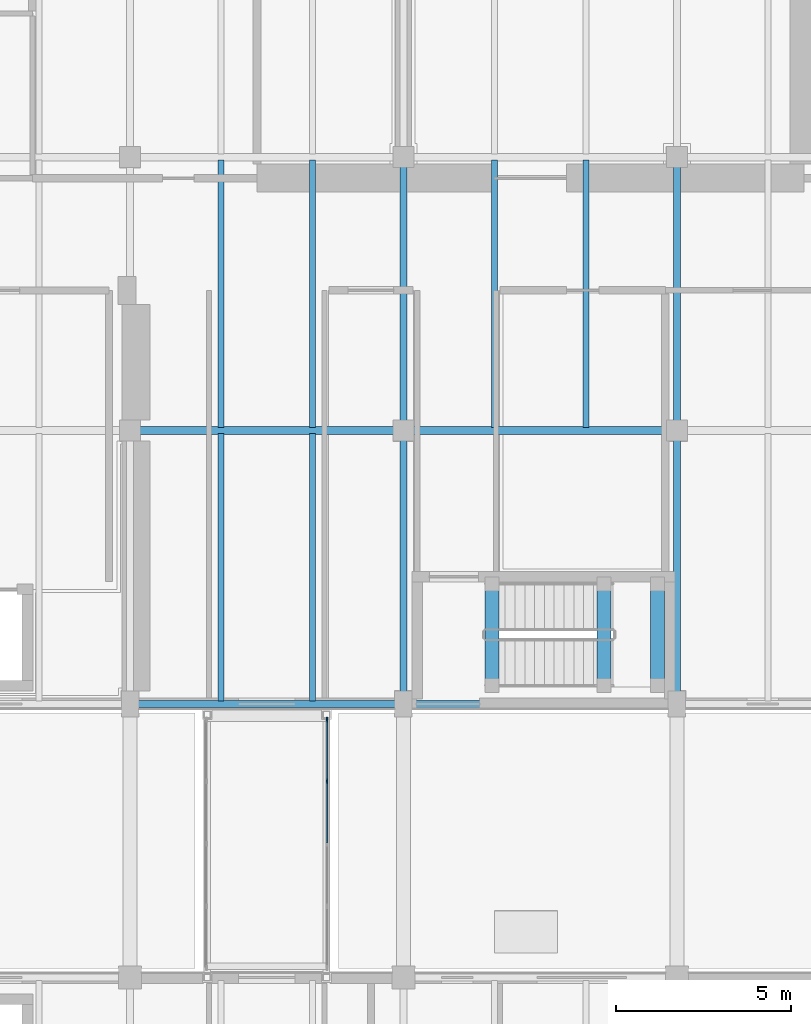
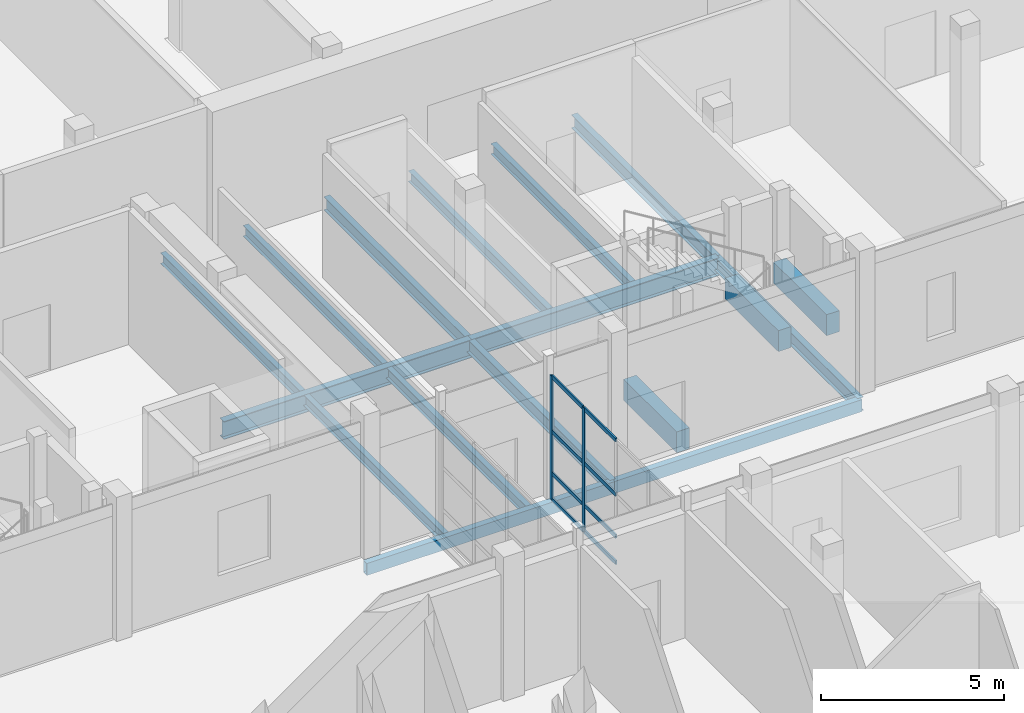
# One storey, part 29 of 131: 17 beams, 10 members, 1 element without a shape of its own.
"""IFC4 building model written with IfcOpenShell, lengths in metres."""

from ifc_helpers import new_model, si_unit, direction, frame, origin, origin_2d, place, context, subcontext, project, spatial, rectangle, hollow_rectangle, i_section, extrude, material, layer, layer_set, material_profile, profile_set, type_object, element, aggregate, save


model = new_model("IFC4")

# Units and contexts
model_context = context("Model", 3, precision=1e-05, world=origin(), true_north=direction((0.0, 1.0)))
body_context = subcontext(model_context, "Body", "Model", "MODEL_VIEW")
ifc_project = project(units=[si_unit("LENGTHUNIT", "METRE"), si_unit("AREAUNIT", "SQUARE_METRE"), si_unit("VOLUMEUNIT", "CUBIC_METRE"), si_unit("PLANEANGLEUNIT", "RADIAN"), si_unit("MASSUNIT", "GRAM", prefix="KILO")], contexts=[model_context])

# Site, building, storey
site_placement = place(None, origin())
site = spatial("IfcSite", under=ifc_project, at=site_placement, CompositionType="ELEMENT")
building_placement = place(site_placement, origin())
building = spatial("IfcBuilding", under=site, at=building_placement, Name="Celorna Specialist Clinic", CompositionType="ELEMENT")
storey_placement = place(building_placement, origin())
storey = spatial("IfcBuildingStorey", under=building, at=storey_placement, Name="L00", CompositionType="ELEMENT", Elevation=0.0)

# Beams
ifc_material_1 = material(Name="Steel S355", Category="steel")
ifc_material_profile_1 = material_profile(ifc_material_1, i_section(OverallWidth=0.219970703125, OverallDepth=0.60009765625, WebThickness=0.011962890625, FlangeThickness=0.01904296875, at=origin_2d()), Name="IPE 600")
ifc_profile_set_1 = profile_set([ifc_material_profile_1], Name="Steel S355")
beam_type_1 = type_object("IfcBeamType", Name="BM-06", PredefinedType="BEAM", material=ifc_profile_set_1)
beam_1_placement = place(storey_placement, frame((15.60009765625, 42.89990234375, -0.679931640625), z_axis=(1.0, 0.0, 0.0), x_axis=(0.0, 1.0, 0.0)))
element("IfcBeam", 1, at=beam_1_placement, inside=storey, type_object=beam_type_1, Name="Primary girder BM-06 #238", PredefinedType="BEAM", context=body_context, shape_type="SweptSolid", body=[
    extrude(i_section(OverallWidth=0.219970703125, OverallDepth=0.60009765625, WebThickness=0.011962890625, FlangeThickness=0.01904296875, at=origin_2d()), origin(), (0.0, 0.0, 1.0), 7.7998046875),
])
beam_2_placement = place(storey_placement, frame((23.39990234375, 42.89990234375, -0.679931640625), z_axis=(1.0, 0.0, 0.0), x_axis=(0.0, 1.0, 0.0)))
element("IfcBeam", 2, at=beam_2_placement, inside=storey, type_object=beam_type_1, Name="Primary girder BM-06 #239", PredefinedType="BEAM", context=body_context, shape_type="SweptSolid", body=[
    extrude(i_section(OverallWidth=0.219970703125, OverallDepth=0.60009765625, WebThickness=0.011962890625, FlangeThickness=0.01904296875, at=origin_2d()), origin(), (0.0, 0.0, 1.0), 7.800048828125),
])
ifc_material_profile_2 = material_profile(ifc_material_1, i_section(OverallWidth=0.18994140625, OverallDepth=0.449951171875, WebThickness=0.009521484375, FlangeThickness=0.0146484375, at=origin_2d()), Name="IPE 450")
ifc_profile_set_2 = profile_set([ifc_material_profile_2], Name="Steel S355")
beam_type_2 = type_object("IfcBeamType", Name="BM-09", PredefinedType="BEAM", material=ifc_profile_set_2)
beam_3_placement = place(storey_placement, frame((23.39990234375, 35.10009765625, -0.60498046875), z_axis=(0.0, 1.0, 0.0), x_axis=(-1.0, 0.0, 0.0)))
element("IfcBeam", 3, at=beam_3_placement, inside=storey, type_object=beam_type_2, Name="Transverse girder BM-09 #281", PredefinedType="BEAM", context=body_context, shape_type="SweptSolid", body=[
    extrude(i_section(OverallWidth=0.18994140625, OverallDepth=0.449951171875, WebThickness=0.009521484375, FlangeThickness=0.0146484375, at=origin_2d()), origin(), (0.0, 0.0, 1.0), 7.7998046875),
])
beam_4_placement = place(storey_placement, frame((23.39990234375, 42.89990234375, -0.60498046875), z_axis=(0.0, 1.0, 0.0), x_axis=(-1.0, 0.0, 0.0)))
element("IfcBeam", 4, at=beam_4_placement, inside=storey, type_object=beam_type_2, Name="Transverse girder BM-09 #282", PredefinedType="BEAM", context=body_context, shape_type="SweptSolid", body=[
    extrude(i_section(OverallWidth=0.18994140625, OverallDepth=0.449951171875, WebThickness=0.009521484375, FlangeThickness=0.0146484375, at=origin_2d()), origin(), (0.0, 0.0, 1.0), 7.800048828125),
])
beam_5_placement = place(storey_placement, frame((31.199951171875, 35.10009765625, -0.60498046875), z_axis=(0.0, 1.0, 0.0), x_axis=(-1.0, 0.0, 0.0)))
element("IfcBeam", 5, at=beam_5_placement, inside=storey, type_object=beam_type_2, Name="Transverse girder BM-09 #286", PredefinedType="BEAM", context=body_context, shape_type="SweptSolid", body=[
    extrude(i_section(OverallWidth=0.18994140625, OverallDepth=0.449951171875, WebThickness=0.009521484375, FlangeThickness=0.0146484375, at=origin_2d()), origin(), (0.0, 0.0, 1.0), 7.7998046875),
])
beam_6_placement = place(storey_placement, frame((31.199951171875, 42.89990234375, -0.60498046875), z_axis=(0.0, 1.0, 0.0), x_axis=(-1.0, 0.0, 0.0)))
element("IfcBeam", 6, at=beam_6_placement, inside=storey, type_object=beam_type_2, Name="Transverse girder BM-09 #287", PredefinedType="BEAM", context=body_context, shape_type="SweptSolid", body=[
    extrude(i_section(OverallWidth=0.18994140625, OverallDepth=0.449951171875, WebThickness=0.009521484375, FlangeThickness=0.0146484375, at=origin_2d()), origin(), (0.0, 0.0, 1.0), 7.800048828125),
])
ifc_material_profile_3 = material_profile(ifc_material_1, i_section(OverallWidth=0.169921875, OverallDepth=0.360107421875, WebThickness=0.008056640625, FlangeThickness=0.0126953125, at=origin_2d()), Name="IPE 360")
ifc_profile_set_3 = profile_set([ifc_material_profile_3], Name="Steel S355")
beam_type_3 = type_object("IfcBeamType", Name="BM-11", PredefinedType="JOIST", material=ifc_profile_set_3)
for number, where, z_axis, x_axis, name in (
    (7, (18.199951171875, 35.18798828125, -0.56005859375), (0.0, 1.0, 0.0), (-1.0, 0.0, 0.0), "Secondary floor joist BM-11 #319"),
    (8, (20.800048828125, 35.18798828125, -0.56005859375), (0.0, 1.0, 0.0), (-1.0, 0.0, 0.0), "Secondary floor joist BM-11 #320"),
    (9, (18.199951171875, 42.988037109375, -0.56005859375), (0.0, 1.0, 0.0), (-1.0, 0.0, 0.0), "Secondary floor joist BM-11 #321"),
    (10, (20.800048828125, 42.988037109375, -0.56005859375), (0.0, 1.0, 0.0), (-1.0, 0.0, 0.0), "Secondary floor joist BM-11 #322"),
    (11, (26.0, 42.988037109375, -0.56005859375), (0.0, 1.0, 0.0), (-1.0, 0.0, 0.0), "Secondary floor joist BM-11 #329"),
    (12, (28.60009765625, 42.988037109375, -0.56005859375), (0.0, 1.0, 0.0), (-1.0, 0.0, 0.0), "Secondary floor joist BM-11 #330"),
):
    element("IfcBeam", number, at=place(storey_placement, frame(where, z_axis=z_axis, x_axis=x_axis)), inside=storey, type_object=beam_type_3, Name=name, PredefinedType="JOIST", context=body_context, shape_type="SweptSolid", body=[
        extrude(i_section(OverallWidth=0.169921875, OverallDepth=0.360107421875, WebThickness=0.008056640625, FlangeThickness=0.0126953125, at=origin_2d()), origin(), (0.0, 0.0, 1.0), 7.6240234375),
    ])
ifc_material_profile_4 = material_profile(ifc_material_1, hollow_rectangle(XDim=0.199951171875, YDim=0.39990234375, WallThickness=0.011962890625, at=origin_2d()), Name="RHS 200x400x12")
ifc_profile_set_4 = profile_set([ifc_material_profile_4], Name="Steel S355")
beam_type_4 = type_object("IfcBeamType", Name="BM-15", PredefinedType="SPANDREL", material=ifc_profile_set_4)
beam_7_placement = place(storey_placement, frame((15.60009765625, 35.10009765625, -0.580078125), z_axis=(1.0, 0.0, 0.0), x_axis=(0.0, 1.0, 0.0)))
element("IfcBeam", 13, at=beam_7_placement, inside=storey, type_object=beam_type_4, Name="Spandrel beam BM-15 #232", PredefinedType="SPANDREL", context=body_context, shape_type="SweptSolid", body=[
    extrude(hollow_rectangle(XDim=0.199951171875, YDim=0.39990234375, WallThickness=0.011962890625, at=origin_2d()), origin(), (0.0, 0.0, 1.0), 7.7998046875),
])
beam_8_placement = place(storey_placement, frame((23.39990234375, 35.10009765625, -0.580078125), z_axis=(1.0, 0.0, 0.0), x_axis=(0.0, 1.0, 0.0)))
element("IfcBeam", 14, at=beam_8_placement, inside=storey, type_object=beam_type_4, Name="Spandrel beam BM-15 #233", PredefinedType="SPANDREL", context=body_context, shape_type="SweptSolid", body=[
    extrude(hollow_rectangle(XDim=0.199951171875, YDim=0.39990234375, WallThickness=0.011962890625, at=origin_2d()), origin(), (0.0, 0.0, 1.0), 7.800048828125),
])
ifc_material_2 = material(Name="Concrete C35/45", Category="concrete")
ifc_material_profile_5 = material_profile(ifc_material_2, rectangle(XDim=0.39990234375, YDim=0.699951171875, at=origin_2d()), Name="RC 400x700")
ifc_profile_set_5 = profile_set([ifc_material_profile_5], Name="Concrete C35/45")
beam_type_5 = type_object("IfcBeamType", Name="BM-19", PredefinedType="BEAM", material=ifc_profile_set_5)
for number, where, z_axis, x_axis, name in (
    (15, (25.919921875, 35.6298828125, -0.27490234375), (0.0, 1.0, 0.0), (-1.0, 0.0, 0.0), "Stair ST-07 floor landing trimmer beam L00"),
    (16, (29.1201171875, 35.6298828125, 1.97509765625), (0.0, 1.0, 0.0), (-1.0, 0.0, 0.0), "Stair ST-07 half-landing beam L00"),
    (17, (30.639892578125, 35.6298828125, 1.97509765625), (0.0, 1.0, 0.0), (-1.0, 0.0, 0.0), "Stair ST-07 half-landing beam L00"),
):
    element("IfcBeam", number, at=place(storey_placement, frame(where, z_axis=z_axis, x_axis=x_axis)), inside=storey, type_object=beam_type_5, Name=name, PredefinedType="BEAM", context=body_context, shape_type="SweptSolid", body=[
        extrude(rectangle(XDim=0.39990234375, YDim=0.699951171875, at=origin_2d()), origin(), (0.0, 0.0, 1.0), 2.900146484375),
    ])

# Curtain wall, members
ifc_material_3 = material(Name="Thermally broken aluminium and solar-control glass curtain wall", Category="aluminium")
ifc_layer = layer(ifc_material_3, 0.159912109375, Name="Thermally broken aluminium and solar-control glass curtain wall")
ifc_layer_set = layer_set([ifc_layer], Name="Thermally broken aluminium and solar-control glass curtain wall")
curtain_wall_type = type_object("IfcCurtainWallType", Name="CW-111", PredefinedType="NOTDEFINED", material=ifc_layer_set)
curtain_wall_placement = place(storey_placement, origin())
curtain_wall = element("IfcCurtainWall", 18, at=curtain_wall_placement, inside=storey, type_object=curtain_wall_type, Name="Curtain wall CW-111 #199", PredefinedType="NOTDEFINED")
ifc_material_4 = material(Name="Anodized aluminium mullion", Category="aluminium")
ifc_material_profile_6 = material_profile(ifc_material_4, rectangle(XDim=0.050048828125, YDim=0.139892578125, at=origin_2d()), Name="ALU MULLION 50x140")
ifc_profile_set_6 = profile_set([ifc_material_profile_6], Name="Anodized aluminium mullion")
member_type_1 = type_object("IfcMemberType", Name="ML-03", PredefinedType="MULLION", material=ifc_profile_set_6)
member_1_placement = place(storey_placement, frame((21.219970703125, 34.655029296875, 0.0), z_axis=(0.0, 0.0, 1.0), x_axis=(1.0, 0.0, 0.0)))
member_1 = element("IfcMember", 19, at=member_1_placement, type_object=member_type_1, Name="CW-111 mullion 1", PredefinedType="MULLION", context=body_context, shape_type="SweptSolid", body=[
    extrude(rectangle(XDim=0.050048828125, YDim=0.139892578125, at=origin_2d()), origin(), (0.0, 0.0, 1.0), 4.1298828125),
])
member_2_placement = place(storey_placement, frame((21.219970703125, 32.8974609375, 0.0), z_axis=(0.0, 0.0, 1.0), x_axis=(1.0, 0.0, 0.0)))
member_2 = element("IfcMember", 20, at=member_2_placement, type_object=member_type_1, Name="CW-111 mullion 2", PredefinedType="MULLION", context=body_context, shape_type="SweptSolid", body=[
    extrude(rectangle(XDim=0.050048828125, YDim=0.139892578125, at=origin_2d()), origin(), (0.0, 0.0, 1.0), 4.1298828125),
])
ifc_material_5 = material(Name="Anodized aluminium transom", Category="aluminium")
ifc_material_profile_7 = material_profile(ifc_material_5, rectangle(XDim=0.050048828125, YDim=0.1298828125, at=origin_2d()), Name="ALU TRANSOM 50x130")
ifc_profile_set_7 = profile_set([ifc_material_profile_7], Name="Anodized aluminium transom")
member_type_2 = type_object("IfcMemberType", Name="TR-01", PredefinedType="USERDEFINED", material=ifc_profile_set_7)
member_3_placement = place(storey_placement, frame((21.219970703125, 34.6298828125, 0.02490234375), z_axis=(0.0, -1.0, 0.0), x_axis=(1.0, 0.0, 0.0)))
member_3 = element("IfcMember", 21, at=member_3_placement, type_object=member_type_2, Name="CW-111 transom 1.1", ObjectType="TRANSOM", PredefinedType="USERDEFINED", context=body_context, shape_type="SweptSolid", body=[
    extrude(rectangle(XDim=0.050048828125, YDim=0.1298828125, at=origin_2d()), origin(), (0.0, 0.0, 1.0), 1.707275390625),
])
member_4_placement = place(storey_placement, frame((21.219970703125, 34.6298828125, 0.89990234375), z_axis=(0.0, -1.0, 0.0), x_axis=(1.0, 0.0, 0.0)))
member_4 = element("IfcMember", 22, at=member_4_placement, type_object=member_type_2, Name="CW-111 transom 1.2", ObjectType="TRANSOM", PredefinedType="USERDEFINED", context=body_context, shape_type="SweptSolid", body=[
    extrude(rectangle(XDim=0.050048828125, YDim=0.1298828125, at=origin_2d()), origin(), (0.0, 0.0, 1.0), 1.707275390625),
])
member_5_placement = place(storey_placement, frame((21.219970703125, 34.6298828125, 2.300048828125), z_axis=(0.0, -1.0, 0.0), x_axis=(1.0, 0.0, 0.0)))
member_5 = element("IfcMember", 23, at=member_5_placement, type_object=member_type_2, Name="CW-111 transom 1.3", ObjectType="TRANSOM", PredefinedType="USERDEFINED", context=body_context, shape_type="SweptSolid", body=[
    extrude(rectangle(XDim=0.050048828125, YDim=0.1298828125, at=origin_2d()), origin(), (0.0, 0.0, 1.0), 1.707275390625),
])
member_6_placement = place(storey_placement, frame((21.219970703125, 34.6298828125, 4.10498046875), z_axis=(0.0, -1.0, 0.0), x_axis=(1.0, 0.0, 0.0)))
member_6 = element("IfcMember", 24, at=member_6_placement, type_object=member_type_2, Name="CW-111 transom 1.4", ObjectType="TRANSOM", PredefinedType="USERDEFINED", context=body_context, shape_type="SweptSolid", body=[
    extrude(rectangle(XDim=0.050048828125, YDim=0.1298828125, at=origin_2d()), origin(), (0.0, 0.0, 1.0), 1.707275390625),
])
member_7_placement = place(storey_placement, frame((21.219970703125, 32.87255859375, 0.02490234375), z_axis=(0.0, -1.0, 0.0), x_axis=(1.0, 0.0, 0.0)))
member_7 = element("IfcMember", 25, at=member_7_placement, type_object=member_type_2, Name="CW-111 transom 2.1", ObjectType="TRANSOM", PredefinedType="USERDEFINED", context=body_context, shape_type="SweptSolid", body=[
    extrude(rectangle(XDim=0.050048828125, YDim=0.1298828125, at=origin_2d()), origin(), (0.0, 0.0, 1.0), 1.732666015625),
])
member_8_placement = place(storey_placement, frame((21.219970703125, 32.87255859375, 0.89990234375), z_axis=(0.0, -1.0, 0.0), x_axis=(1.0, 0.0, 0.0)))
member_8 = element("IfcMember", 26, at=member_8_placement, type_object=member_type_2, Name="CW-111 transom 2.2", ObjectType="TRANSOM", PredefinedType="USERDEFINED", context=body_context, shape_type="SweptSolid", body=[
    extrude(rectangle(XDim=0.050048828125, YDim=0.1298828125, at=origin_2d()), origin(), (0.0, 0.0, 1.0), 1.732666015625),
])
member_9_placement = place(storey_placement, frame((21.219970703125, 32.87255859375, 2.300048828125), z_axis=(0.0, -1.0, 0.0), x_axis=(1.0, 0.0, 0.0)))
member_9 = element("IfcMember", 27, at=member_9_placement, type_object=member_type_2, Name="CW-111 transom 2.3", ObjectType="TRANSOM", PredefinedType="USERDEFINED", context=body_context, shape_type="SweptSolid", body=[
    extrude(rectangle(XDim=0.050048828125, YDim=0.1298828125, at=origin_2d()), origin(), (0.0, 0.0, 1.0), 1.732666015625),
])
member_10_placement = place(storey_placement, frame((21.219970703125, 32.87255859375, 4.10498046875), z_axis=(0.0, -1.0, 0.0), x_axis=(1.0, 0.0, 0.0)))
member_10 = element("IfcMember", 28, at=member_10_placement, type_object=member_type_2, Name="CW-111 transom 2.4", ObjectType="TRANSOM", PredefinedType="USERDEFINED", context=body_context, shape_type="SweptSolid", body=[
    extrude(rectangle(XDim=0.050048828125, YDim=0.1298828125, at=origin_2d()), origin(), (0.0, 0.0, 1.0), 1.732666015625),
])
aggregate(curtain_wall, [member_1, member_2, member_3, member_4, member_5, member_6, member_7, member_8, member_9, member_10])

save(model, "model.ifc")
